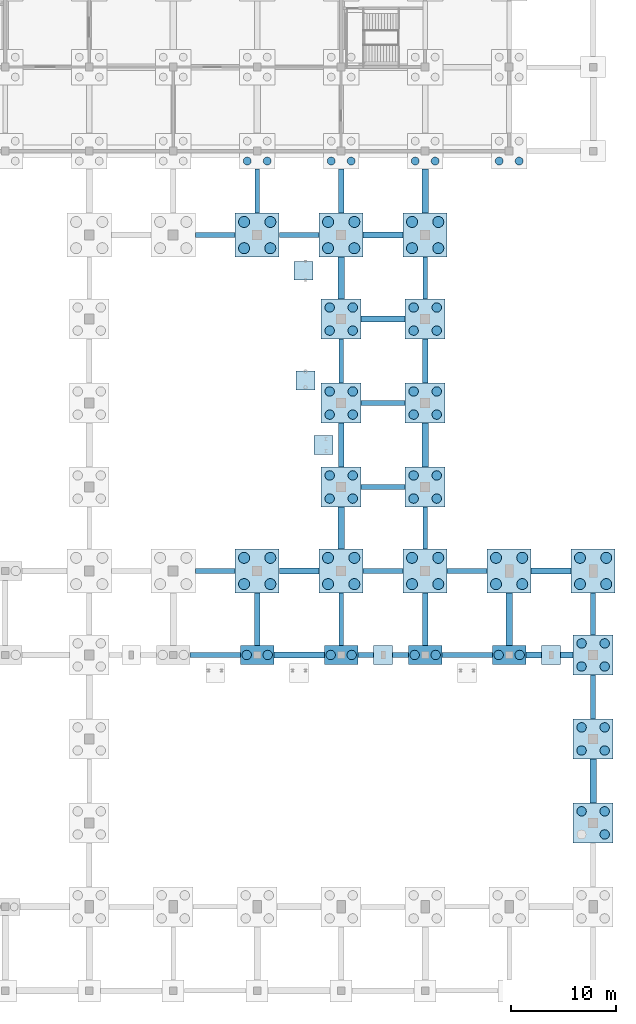
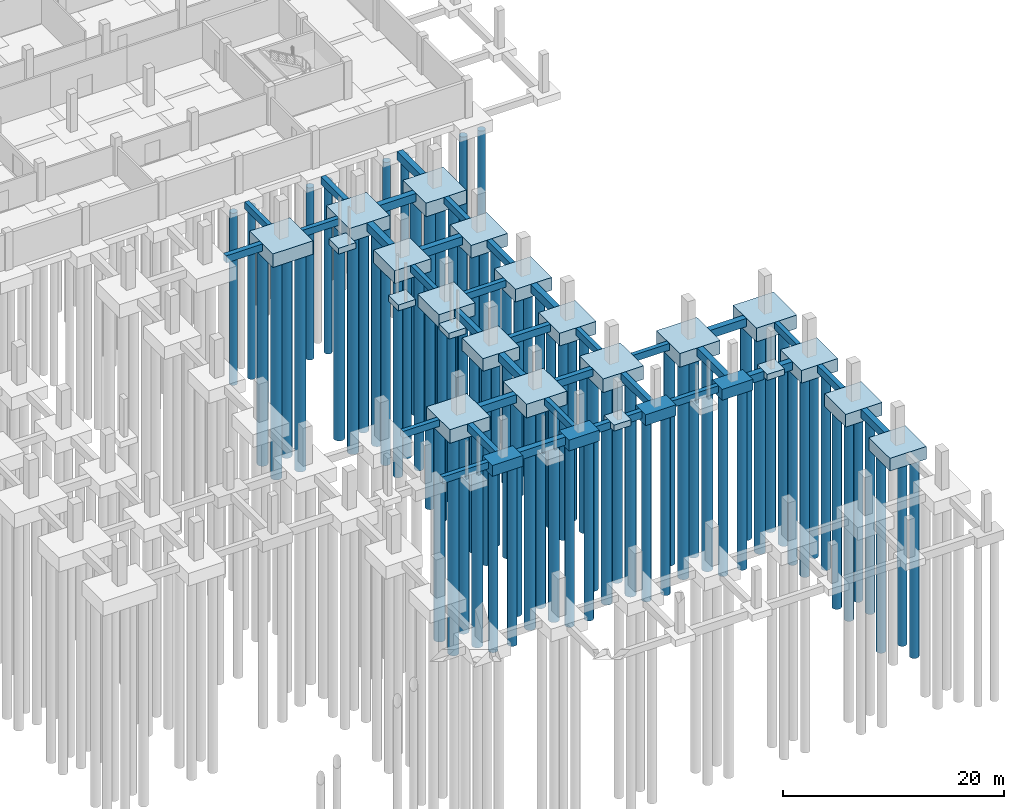
# One storey, part 9 of 32: 83 piles, 62 footings.
"""IFC4 building model written with IfcOpenShell, lengths in metres."""

import ifcopenshell
import ifcopenshell.guid

model = None  # the IFC model being written
_history = None  # IfcOwnerHistory: only IFC2X3 demands one
_inside = {}  # id of a spatial element -> (the spatial element, [elements in it])
_under = {}  # id of a project, library or spatial element -> (it, [spatial elements below it])
_declared = {}  # id of a project -> (the project, [libraries it declares])
_typed = {}  # id of a type object -> (the type object, [elements of that type])
_made_of = {}  # id of a material, layer set ... -> (it, [elements and type objects made of it])


def new_model(schema):
    """Start an empty IFC model of exactly this schema.

    Asked for "IFC4X3", IfcOpenShell would pick the latest addendum, in which some entities
    have other attributes; the version numbers below select the first issue.
    IFC2X3 requires an IfcOwnerHistory on every rooted entity: one is made here for all.
    """
    global model, _history
    if schema == "IFC4X3":
        model = ifcopenshell.file(schema_version=(4, 3, 0, 0))
    else:
        model = ifcopenshell.file(schema=schema)
    _inside.clear()
    _under.clear()
    _declared.clear()
    _typed.clear()
    _made_of.clear()
    _history = None
    if model.schema == "IFC2X3":
        org = make("IfcOrganization", Name="unknown")
        user = make(
            "IfcPersonAndOrganization",
            ThePerson=make("IfcPerson", FamilyName="unknown"),
            TheOrganization=org,
        )
        app = make(
            "IfcApplication",
            ApplicationDeveloper=org,
            Version="unknown",
            ApplicationFullName="unknown",
            ApplicationIdentifier="unknown",
        )
        _history = make(
            "IfcOwnerHistory",
            OwningUser=user,
            OwningApplication=app,
            ChangeAction="ADDED",
            CreationDate=0,
        )
    return model


def make(cls, **values):
    """One entity of the class cls with the attributes given. An attribute that is None is left unset."""
    return model.create_entity(
        cls, **{name: value for name, value in values.items() if value is not None}
    )


def rooted(cls, **values):
    """An entity with a GlobalId (a new one), such as an element, a storey or a relation."""
    return make(cls, GlobalId=ifcopenshell.guid.new(), OwnerHistory=_history, **values)


def si_unit(unit_type, name, prefix=None):
    """IfcSIUnit, for example si_unit("LENGTHUNIT", "METRE", prefix="MILLI")."""
    return make("IfcSIUnit", UnitType=unit_type, Prefix=prefix, Name=name)


def assignment(units):
    """IfcUnitAssignment: the units of a project."""
    return None if units is None else make("IfcUnitAssignment", Units=units)


def point(xyz):
    """IfcCartesianPoint."""
    return None if xyz is None else make("IfcCartesianPoint", Coordinates=xyz)


def direction(xyz):
    """IfcDirection."""
    return None if xyz is None else make("IfcDirection", DirectionRatios=xyz)


def frame(location, z_axis=None, x_axis=None):
    """IfcAxis2Placement3D, a coordinate frame: its origin and axes. An axis left out is left unset."""
    return make(
        "IfcAxis2Placement3D",
        Location=point(location),
        Axis=direction(z_axis),
        RefDirection=direction(x_axis),
    )


def frame_2d(location, x_axis=None):
    """IfcAxis2Placement2D, a coordinate frame in the plane: its origin and x axis."""
    return make(
        "IfcAxis2Placement2D", Location=point(location), RefDirection=direction(x_axis)
    )


def origin():
    """The frame at (0, 0, 0) with its axes left unset."""
    return frame((0.0, 0.0, 0.0))


def origin_2d():
    """The frame at (0, 0) in the plane with its x axis left unset."""
    return frame_2d((0.0, 0.0))


def place(relative_to, where):
    """IfcLocalPlacement: puts the frame where relative to a parent placement (None: the world)."""
    return make(
        "IfcLocalPlacement", PlacementRelTo=relative_to, RelativePlacement=where
    )


def context(
    kind, dimensions, precision=None, world=None, true_north=None, identifier=None
):
    """IfcGeometricRepresentationContext, for example the 3D "Model" context."""
    return make(
        "IfcGeometricRepresentationContext",
        ContextIdentifier=identifier,
        ContextType=kind,
        CoordinateSpaceDimension=dimensions,
        Precision=precision,
        WorldCoordinateSystem=world,
        TrueNorth=true_north,
    )


def subcontext(parent, identifier, kind, view, scale=None):
    """IfcGeometricRepresentationSubContext, for example "Body" below "Model"."""
    return make(
        "IfcGeometricRepresentationSubContext",
        ContextIdentifier=identifier,
        ContextType=kind,
        ParentContext=parent,
        TargetScale=scale,
        TargetView=view,
    )


def project(units=None, contexts=None):
    """IfcProject with its units and contexts."""
    return rooted(
        "IfcProject",
        Name="project",
        RepresentationContexts=contexts,
        UnitsInContext=assignment(units),
    )


def spatial(cls, under=None, at=None, **own):
    """A site, building, storey or space (cls), placed at a placement, below another one or the project."""
    s = rooted(cls, ObjectPlacement=at, **own)
    if under is not None:
        _under.setdefault(under.id(), (under, []))[1].append(s)
    return s


def profile(cls, at=None, kind="AREA", **sizes):
    """A parametric profile (cls). Its sizes go by their IFC names, for example OverallWidth=200.0."""
    return make(cls, ProfileType=kind, Position=at, **sizes)


def rectangle(**sizes):
    """IfcRectangleProfileDef."""
    return profile("IfcRectangleProfileDef", **sizes)


def circle(**sizes):
    """IfcCircleProfileDef."""
    return profile("IfcCircleProfileDef", **sizes)


def extrude(swept, where, along, depth):
    """IfcExtrudedAreaSolid: the profile swept, set in the frame where, extruded along a direction by depth."""
    return make(
        "IfcExtrudedAreaSolid",
        SweptArea=swept,
        Position=where,
        ExtrudedDirection=direction(along),
        Depth=depth,
    )


def shape(context_of_items, identifier, shape_type, items):
    """IfcShapeRepresentation: the items that make up one representation, for example the "Body"."""
    return make(
        "IfcShapeRepresentation",
        ContextOfItems=context_of_items,
        RepresentationIdentifier=identifier,
        RepresentationType=shape_type,
        Items=items,
    )


def material(Name=None, Category=None):
    """IfcMaterial."""
    return make("IfcMaterial", Name=Name, Category=Category)


def material_profile(
    of_material, cross_section, Name=None, Category=None, Priority=None
):
    """IfcMaterialProfile: a cross section and its material."""
    return make(
        "IfcMaterialProfile",
        Name=Name,
        Material=of_material,
        Profile=cross_section,
        Priority=Priority,
        Category=Category,
    )


def profile_set(profiles, Name=None, composite=None):
    """IfcMaterialProfileSet."""
    return make(
        "IfcMaterialProfileSet",
        Name=Name,
        MaterialProfiles=profiles,
        CompositeProfile=composite,
    )


def made_of(thing, what):
    """Note that an element or type object is made of a material, layer set ...; save() writes the relation."""
    if what is not None:
        _made_of.setdefault(what.id(), (what, []))[1].append(thing)
    return thing


def type_object(cls, material=None, **own):
    """A type object (cls), such as IfcWallType, which elements share."""
    return made_of(rooted(cls, **own), material)


def element(
    cls,
    number,
    at=None,
    inside=None,
    cuts=None,
    type_object=None,
    material=None,
    context=None,
    identifier="Body",
    shape_type=None,
    held_by="IfcProductDefinitionShape",
    body=None,
    shapes=None,
    **own,
):
    """One element of the class cls, such as IfcWall. Its Tag is "e" and its number.

    at: its placement. inside: the storey or other place that contains it. cuts: it is an
    opening in that element (IfcRelVoidsElement). A single representation is given by context,
    identifier, shape_type and body (its items); several are given by shapes. held_by: the class
    of the entity that holds the representations. save() writes the other relations.
    """
    e = rooted(cls, Tag="e%d" % number, ObjectPlacement=at, **own)
    if body is not None:
        shapes = [shape(context, identifier, shape_type, body)]
    if shapes is not None:
        e.Representation = make(held_by, Representations=shapes)
    if inside is not None:
        _inside.setdefault(inside.id(), (inside, []))[1].append(e)
    if cuts is not None:
        rooted(
            "IfcRelVoidsElement", RelatingBuildingElement=cuts, RelatedOpeningElement=e
        )
    if type_object is not None:
        _typed.setdefault(type_object.id(), (type_object, []))[1].append(e)
    return made_of(e, material)


def aggregate(whole, parts):
    """IfcRelAggregates: a whole, such as a stair, and the parts it consists of."""
    return rooted("IfcRelAggregates", RelatingObject=whole, RelatedObjects=parts)


def save(model, path):
    """Write the relations noted so far, then the file.

    IfcRelAggregates (storeys below a building ...), IfcRelContainedInSpatialStructure (elements
    in a storey), IfcRelDefinesByType, IfcRelAssociatesMaterial and IfcRelDeclares: one each for
    every whole, place, type object, material and project.
    """
    for whole, parts in _under.values():
        aggregate(whole, parts)
    for where, things in _inside.values():
        rooted(
            "IfcRelContainedInSpatialStructure",
            RelatedElements=things,
            RelatingStructure=where,
        )
    for kind, things in _typed.values():
        rooted("IfcRelDefinesByType", RelatedObjects=things, RelatingType=kind)
    for what, things in _made_of.values():
        rooted("IfcRelAssociatesMaterial", RelatedObjects=things, RelatingMaterial=what)
    for by, libraries in _declared.values():
        rooted("IfcRelDeclares", RelatingContext=by, RelatedDefinitions=libraries)
    model.write(path)


model = new_model("IFC4")

# Units and contexts
model_context = context("Model", 3, precision=1e-05, world=origin(), true_north=direction((0.0, 1.0)))
body_context = subcontext(model_context, "Body", "Model", "MODEL_VIEW")
ifc_project = project(units=[si_unit("LENGTHUNIT", "METRE"), si_unit("AREAUNIT", "SQUARE_METRE"), si_unit("VOLUMEUNIT", "CUBIC_METRE"), si_unit("PLANEANGLEUNIT", "RADIAN"), si_unit("MASSUNIT", "GRAM", prefix="KILO")], contexts=[model_context])

# Site, building, storey
site_placement = place(None, origin())
site = spatial("IfcSite", under=ifc_project, at=site_placement, CompositionType="ELEMENT")
building_placement = place(site_placement, origin())
building = spatial("IfcBuilding", under=site, at=building_placement, Name="Tenunan Teduh Sports Hall", CompositionType="ELEMENT")
storey_placement = place(building_placement, frame((0.0, 0.0, -4.199951171875)))
storey = spatial("IfcBuildingStorey", under=building, at=storey_placement, Name="B1", CompositionType="ELEMENT", Elevation=-4.199951171875)

# Footings
ifc_material_1 = material(Name="Concrete C40/50", Category="concrete")
ifc_material_profile_1 = material_profile(ifc_material_1, rectangle(XDim=0.449951171875, YDim=0.75, at=origin_2d()), Name="RCB 450x750")
ifc_profile_set_1 = profile_set([ifc_material_profile_1], Name="Concrete C40/50")
footing_type_1 = type_object("IfcFootingType", Name="GB-450x750", PredefinedType="FOOTING_BEAM", material=ifc_profile_set_1)
for number, where, z_axis, x_axis, name in (
    (1, (131.60205078125, 38.0, -0.375), (1.0, 0.0, 0.0), (0.0, 1.0, 0.0), "FTG-GBX-054"),
    (2, (155.60205078125, 38.0, -0.375), (1.0, 0.0, 0.0), (0.0, 1.0, 0.0), "FTG-GBX-058"),
):
    element("IfcFooting", number, at=place(storey_placement, frame(where, z_axis=z_axis, x_axis=x_axis)), inside=storey, type_object=footing_type_1, Name=name, PredefinedType="FOOTING_BEAM", context=body_context, shape_type="SweptSolid", body=[
        extrude(rectangle(XDim=0.449951171875, YDim=0.75, at=origin_2d()), origin(), (0.0, 0.0, 1.0), 4.7958984375),
    ])
for number, where, z_axis, x_axis, name in (
    (3, (132.10205078125, 46.0, -0.375), (1.0, 0.0, 0.0), (0.0, 1.0, 0.0), "FTG-GBX-074"),
    (4, (156.10205078125, 46.0, -0.375), (1.0, 0.0, 0.0), (0.0, 1.0, 0.0), "FTG-GBX-077"),
):
    element("IfcFooting", number, at=place(storey_placement, frame(where, z_axis=z_axis, x_axis=x_axis)), inside=storey, type_object=footing_type_1, Name=name, PredefinedType="FOOTING_BEAM", context=body_context, shape_type="SweptSolid", body=[
        extrude(rectangle(XDim=0.449951171875, YDim=0.75, at=origin_2d()), origin(), (0.0, 0.0, 1.0), 3.7958984375),
    ])
footing_1_placement = place(storey_placement, frame((147.902099609375, 62.0, -0.375), z_axis=(1.0, 0.0, 0.0), x_axis=(0.0, 1.0, 0.0)))
element("IfcFooting", 5, at=footing_1_placement, inside=storey, type_object=footing_type_1, Name="FTG-GBX-089", PredefinedType="FOOTING_BEAM", context=body_context, shape_type="SweptSolid", body=[
    extrude(rectangle(XDim=0.449951171875, YDim=0.75, at=origin_2d()), origin(), (0.0, 0.0, 1.0), 4.19580078125),
])
footing_2_placement = place(storey_placement, frame((140.10205078125, 78.0, -0.375), z_axis=(1.0, 0.0, 0.0), x_axis=(0.0, 1.0, 0.0)))
element("IfcFooting", 6, at=footing_2_placement, inside=storey, type_object=footing_type_1, Name="FTG-GBX-099", PredefinedType="FOOTING_BEAM", context=body_context, shape_type="SweptSolid", body=[
    extrude(rectangle(XDim=0.449951171875, YDim=0.75, at=origin_2d()), origin(), (0.0, 0.0, 1.0), 3.7958984375),
])
footing_3_placement = place(storey_placement, frame((138.0, 80.10205078125, -0.375), z_axis=(0.0, 1.0, 0.0), x_axis=(-1.0, 0.0, 0.0)))
element("IfcFooting", 7, at=footing_3_placement, inside=storey, type_object=footing_type_1, Name="FTG-GBY-301", PredefinedType="FOOTING_BEAM", context=body_context, shape_type="SweptSolid", body=[
    extrude(rectangle(XDim=0.449951171875, YDim=0.75, at=origin_2d()), origin(), (0.0, 0.0, 1.0), 4.196044921875),
])
footing_4_placement = place(storey_placement, frame((146.0, 38.902099609375, -0.375), z_axis=(0.0, 1.0, 0.0), x_axis=(-1.0, 0.0, 0.0)))
element("IfcFooting", 8, at=footing_4_placement, inside=storey, type_object=footing_type_1, Name="FTG-GBY-307", PredefinedType="FOOTING_BEAM", context=body_context, shape_type="SweptSolid", body=[
    extrude(rectangle(XDim=0.449951171875, YDim=0.75, at=origin_2d()), origin(), (0.0, 0.0, 1.0), 4.995849609375),
])
footing_5_placement = place(storey_placement, frame((146.0, 63.902099609375, -0.375), z_axis=(0.0, 1.0, 0.0), x_axis=(-1.0, 0.0, 0.0)))
element("IfcFooting", 9, at=footing_5_placement, inside=storey, type_object=footing_type_1, Name="FTG-GBY-310", PredefinedType="FOOTING_BEAM", context=body_context, shape_type="SweptSolid", body=[
    extrude(rectangle(XDim=0.449951171875, YDim=0.75, at=origin_2d()), origin(), (0.0, 0.0, 1.0), 4.19580078125),
])
for number, where, z_axis, x_axis, name in (
    (10, (154.0, 48.10205078125, -0.375), (0.0, 1.0, 0.0), (-1.0, 0.0, 0.0), "FTG-GBY-319"),
    (11, (154.0, 71.902099609375, -0.375), (0.0, 1.0, 0.0), (-1.0, 0.0, 0.0), "FTG-GBY-322"),
    (12, (170.0, 39.902099609375, -0.375), (0.0, 1.0, 0.0), (-1.0, 0.0, 0.0), "FTG-GBY-337"),
):
    element("IfcFooting", number, at=place(storey_placement, frame(where, z_axis=z_axis, x_axis=x_axis)), inside=storey, type_object=footing_type_1, Name=name, PredefinedType="FOOTING_BEAM", context=body_context, shape_type="SweptSolid", body=[
        extrude(rectangle(XDim=0.449951171875, YDim=0.75, at=origin_2d()), origin(), (0.0, 0.0, 1.0), 3.995849609375),
    ])
ifc_material_2 = material(Name="Concrete C40/50", Category="concrete")
ifc_material_profile_2 = material_profile(ifc_material_2, rectangle(XDim=0.5, YDim=0.800048828125, at=origin_2d()), Name="RCB 500x800")
ifc_profile_set_2 = profile_set([ifc_material_profile_2], Name="Concrete C40/50")
footing_type_2 = type_object("IfcFootingType", Name="GB-500x800", PredefinedType="FOOTING_BEAM", material=ifc_profile_set_2)
for number, where, z_axis, x_axis, name in (
    (13, (147.60205078125, 38.0, -0.400146484375), (1.0, 0.0, 0.0), (0.0, 1.0, 0.0), "FTG-GBX-056"),
    (14, (150.902099609375, 38.0, -0.400146484375), (1.0, 0.0, 0.0), (0.0, 1.0, 0.0), "FTG-GBX-057"),
):
    element("IfcFooting", number, at=place(storey_placement, frame(where, z_axis=z_axis, x_axis=x_axis)), inside=storey, type_object=footing_type_2, Name=name, PredefinedType="FOOTING_BEAM", context=body_context, shape_type="SweptSolid", body=[
        extrude(rectangle(XDim=0.5, YDim=0.800048828125, at=origin_2d()), origin(), (0.0, 0.0, 1.0), 1.495849609375),
    ])
footing_6_placement = place(storey_placement, frame((148.10205078125, 46.0, -0.400146484375), z_axis=(1.0, 0.0, 0.0), x_axis=(0.0, 1.0, 0.0)))
element("IfcFooting", 15, at=footing_6_placement, inside=storey, type_object=footing_type_2, Name="FTG-GBX-076", PredefinedType="FOOTING_BEAM", context=body_context, shape_type="SweptSolid", body=[
    extrude(rectangle(XDim=0.5, YDim=0.800048828125, at=origin_2d()), origin(), (0.0, 0.0, 1.0), 3.7958984375),
])
footing_7_placement = place(storey_placement, frame((147.902099609375, 54.0, -0.400146484375), z_axis=(1.0, 0.0, 0.0), x_axis=(0.0, 1.0, 0.0)))
element("IfcFooting", 16, at=footing_7_placement, inside=storey, type_object=footing_type_2, Name="FTG-GBX-082", PredefinedType="FOOTING_BEAM", context=body_context, shape_type="SweptSolid", body=[
    extrude(rectangle(XDim=0.5, YDim=0.800048828125, at=origin_2d()), origin(), (0.0, 0.0, 1.0), 4.19580078125),
])
footing_8_placement = place(storey_placement, frame((132.10205078125, 78.0, -0.400146484375), z_axis=(1.0, 0.0, 0.0), x_axis=(0.0, 1.0, 0.0)))
element("IfcFooting", 17, at=footing_8_placement, inside=storey, type_object=footing_type_2, Name="FTG-GBX-098", PredefinedType="FOOTING_BEAM", context=body_context, shape_type="SweptSolid", body=[
    extrude(rectangle(XDim=0.5, YDim=0.800048828125, at=origin_2d()), origin(), (0.0, 0.0, 1.0), 3.7958984375),
])
footing_9_placement = place(storey_placement, frame((138.0, 38.902099609375, -0.400146484375), z_axis=(0.0, 1.0, 0.0), x_axis=(-1.0, 0.0, 0.0)))
element("IfcFooting", 18, at=footing_9_placement, inside=storey, type_object=footing_type_2, Name="FTG-GBY-300", PredefinedType="FOOTING_BEAM", context=body_context, shape_type="SweptSolid", body=[
    extrude(rectangle(XDim=0.5, YDim=0.800048828125, at=origin_2d()), origin(), (0.0, 0.0, 1.0), 4.995849609375),
])
footing_10_placement = place(storey_placement, frame((146.0, 55.902099609375, -0.400146484375), z_axis=(0.0, 1.0, 0.0), x_axis=(-1.0, 0.0, 0.0)))
element("IfcFooting", 19, at=footing_10_placement, inside=storey, type_object=footing_type_2, Name="FTG-GBY-309", PredefinedType="FOOTING_BEAM", context=body_context, shape_type="SweptSolid", body=[
    extrude(rectangle(XDim=0.5, YDim=0.800048828125, at=origin_2d()), origin(), (0.0, 0.0, 1.0), 4.19580078125),
])
footing_11_placement = place(storey_placement, frame((146.0, 80.10205078125, -0.400146484375), z_axis=(0.0, 1.0, 0.0), x_axis=(-1.0, 0.0, 0.0)))
element("IfcFooting", 20, at=footing_11_placement, inside=storey, type_object=footing_type_2, Name="FTG-GBY-312", PredefinedType="FOOTING_BEAM", context=body_context, shape_type="SweptSolid", body=[
    extrude(rectangle(XDim=0.5, YDim=0.800048828125, at=origin_2d()), origin(), (0.0, 0.0, 1.0), 4.196044921875),
])
footing_12_placement = place(storey_placement, frame((154.0, 38.902099609375, -0.400146484375), z_axis=(0.0, 1.0, 0.0), x_axis=(-1.0, 0.0, 0.0)))
element("IfcFooting", 21, at=footing_12_placement, inside=storey, type_object=footing_type_2, Name="FTG-GBY-318", PredefinedType="FOOTING_BEAM", context=body_context, shape_type="SweptSolid", body=[
    extrude(rectangle(XDim=0.5, YDim=0.800048828125, at=origin_2d()), origin(), (0.0, 0.0, 1.0), 4.995849609375),
])
for number, where, z_axis, x_axis, name in (
    (22, (154.0, 63.902099609375, -0.400146484375), (0.0, 1.0, 0.0), (-1.0, 0.0, 0.0), "FTG-GBY-321"),
    (23, (170.0, 31.902099609375, -0.400146484375), (0.0, 1.0, 0.0), (-1.0, 0.0, 0.0), "FTG-GBY-336"),
):
    element("IfcFooting", number, at=place(storey_placement, frame(where, z_axis=z_axis, x_axis=x_axis)), inside=storey, type_object=footing_type_2, Name=name, PredefinedType="FOOTING_BEAM", context=body_context, shape_type="SweptSolid", body=[
        extrude(rectangle(XDim=0.5, YDim=0.800048828125, at=origin_2d()), origin(), (0.0, 0.0, 1.0), 4.19580078125),
    ])
ifc_material_3 = material(Name="Concrete C40/50", Category="concrete")
ifc_material_profile_3 = material_profile(ifc_material_3, rectangle(XDim=0.60009765625, YDim=0.89990234375, at=origin_2d()), Name="RCB 600x900")
ifc_profile_set_3 = profile_set([ifc_material_profile_3], Name="Concrete C40/50")
footing_type_3 = type_object("IfcFootingType", Name="GB-600x900", PredefinedType="FOOTING_BEAM", material=ifc_profile_set_3)
footing_13_placement = place(storey_placement, frame((139.60205078125, 38.0, -0.449951171875), z_axis=(1.0, 0.0, 0.0), x_axis=(0.0, 1.0, 0.0)))
element("IfcFooting", 24, at=footing_13_placement, inside=storey, type_object=footing_type_3, Name="FTG-GBX-055", PredefinedType="FOOTING_BEAM", context=body_context, shape_type="SweptSolid", body=[
    extrude(rectangle(XDim=0.60009765625, YDim=0.89990234375, at=origin_2d()), origin(), (0.0, 0.0, 1.0), 4.7958984375),
])
footing_14_placement = place(storey_placement, frame((163.60205078125, 38.0, -0.449951171875), z_axis=(1.0, 0.0, 0.0), x_axis=(0.0, 1.0, 0.0)))
element("IfcFooting", 25, at=footing_14_placement, inside=storey, type_object=footing_type_3, Name="FTG-GBX-059", PredefinedType="FOOTING_BEAM", context=body_context, shape_type="SweptSolid", body=[
    extrude(rectangle(XDim=0.60009765625, YDim=0.89990234375, at=origin_2d()), origin(), (0.0, 0.0, 1.0), 1.495849609375),
])
footing_15_placement = place(storey_placement, frame((166.902099609375, 38.0, -0.449951171875), z_axis=(1.0, 0.0, 0.0), x_axis=(0.0, 1.0, 0.0)))
element("IfcFooting", 26, at=footing_15_placement, inside=storey, type_object=footing_type_3, Name="FTG-GBX-060", PredefinedType="FOOTING_BEAM", context=body_context, shape_type="SweptSolid", body=[
    extrude(rectangle(XDim=0.60009765625, YDim=0.89990234375, at=origin_2d()), origin(), (0.0, 0.0, 1.0), 1.19580078125),
])
for number, where, z_axis, x_axis, name in (
    (27, (140.10205078125, 46.0, -0.449951171875), (1.0, 0.0, 0.0), (0.0, 1.0, 0.0), "FTG-GBX-075"),
    (28, (164.10205078125, 46.0, -0.449951171875), (1.0, 0.0, 0.0), (0.0, 1.0, 0.0), "FTG-GBX-078"),
):
    element("IfcFooting", number, at=place(storey_placement, frame(where, z_axis=z_axis, x_axis=x_axis)), inside=storey, type_object=footing_type_3, Name=name, PredefinedType="FOOTING_BEAM", context=body_context, shape_type="SweptSolid", body=[
        extrude(rectangle(XDim=0.60009765625, YDim=0.89990234375, at=origin_2d()), origin(), (0.0, 0.0, 1.0), 3.7958984375),
    ])
footing_16_placement = place(storey_placement, frame((147.902099609375, 70.0, -0.449951171875), z_axis=(1.0, 0.0, 0.0), x_axis=(0.0, 1.0, 0.0)))
element("IfcFooting", 29, at=footing_16_placement, inside=storey, type_object=footing_type_3, Name="FTG-GBX-096", PredefinedType="FOOTING_BEAM", context=body_context, shape_type="SweptSolid", body=[
    extrude(rectangle(XDim=0.60009765625, YDim=0.89990234375, at=origin_2d()), origin(), (0.0, 0.0, 1.0), 4.19580078125),
])
footing_17_placement = place(storey_placement, frame((148.10205078125, 78.0, -0.449951171875), z_axis=(1.0, 0.0, 0.0), x_axis=(0.0, 1.0, 0.0)))
element("IfcFooting", 30, at=footing_17_placement, inside=storey, type_object=footing_type_3, Name="FTG-GBX-100", PredefinedType="FOOTING_BEAM", context=body_context, shape_type="SweptSolid", body=[
    extrude(rectangle(XDim=0.60009765625, YDim=0.89990234375, at=origin_2d()), origin(), (0.0, 0.0, 1.0), 3.7958984375),
])
for number, where, z_axis, x_axis, name in (
    (31, (146.0, 48.10205078125, -0.449951171875), (0.0, 1.0, 0.0), (-1.0, 0.0, 0.0), "FTG-GBY-308"),
    (32, (146.0, 71.902099609375, -0.449951171875), (0.0, 1.0, 0.0), (-1.0, 0.0, 0.0), "FTG-GBY-311"),
):
    element("IfcFooting", number, at=place(storey_placement, frame(where, z_axis=z_axis, x_axis=x_axis)), inside=storey, type_object=footing_type_3, Name=name, PredefinedType="FOOTING_BEAM", context=body_context, shape_type="SweptSolid", body=[
        extrude(rectangle(XDim=0.60009765625, YDim=0.89990234375, at=origin_2d()), origin(), (0.0, 0.0, 1.0), 3.995849609375),
    ])
footing_18_placement = place(storey_placement, frame((154.0, 55.902099609375, -0.449951171875), z_axis=(0.0, 1.0, 0.0), x_axis=(-1.0, 0.0, 0.0)))
element("IfcFooting", 33, at=footing_18_placement, inside=storey, type_object=footing_type_3, Name="FTG-GBY-320", PredefinedType="FOOTING_BEAM", context=body_context, shape_type="SweptSolid", body=[
    extrude(rectangle(XDim=0.60009765625, YDim=0.89990234375, at=origin_2d()), origin(), (0.0, 0.0, 1.0), 4.19580078125),
])
footing_19_placement = place(storey_placement, frame((154.0, 80.10205078125, -0.449951171875), z_axis=(0.0, 1.0, 0.0), x_axis=(-1.0, 0.0, 0.0)))
element("IfcFooting", 34, at=footing_19_placement, inside=storey, type_object=footing_type_3, Name="FTG-GBY-323", PredefinedType="FOOTING_BEAM", context=body_context, shape_type="SweptSolid", body=[
    extrude(rectangle(XDim=0.60009765625, YDim=0.89990234375, at=origin_2d()), origin(), (0.0, 0.0, 1.0), 4.196044921875),
])
footing_20_placement = place(storey_placement, frame((162.0, 38.902099609375, -0.449951171875), z_axis=(0.0, 1.0, 0.0), x_axis=(-1.0, 0.0, 0.0)))
element("IfcFooting", 35, at=footing_20_placement, inside=storey, type_object=footing_type_3, Name="FTG-GBY-329", PredefinedType="FOOTING_BEAM", context=body_context, shape_type="SweptSolid", body=[
    extrude(rectangle(XDim=0.60009765625, YDim=0.89990234375, at=origin_2d()), origin(), (0.0, 0.0, 1.0), 4.995849609375),
])
footing_21_placement = place(storey_placement, frame((170.0, 23.902099609375, -0.449951171875), z_axis=(0.0, 1.0, 0.0), x_axis=(-1.0, 0.0, 0.0)))
element("IfcFooting", 36, at=footing_21_placement, inside=storey, type_object=footing_type_3, Name="FTG-GBY-335", PredefinedType="FOOTING_BEAM", context=body_context, shape_type="SweptSolid", body=[
    extrude(rectangle(XDim=0.60009765625, YDim=0.89990234375, at=origin_2d()), origin(), (0.0, 0.0, 1.0), 4.19580078125),
])
ifc_material_4 = material(Name="Concrete C40/50", Category="concrete")
footing_type_4 = type_object("IfcFootingType", Name="PC-2B", PredefinedType="PILE_CAP", material=ifc_material_4)
for number, where, z_axis, x_axis, name in (
    (37, (138.0, 38.0, -1.2001953125), (0.0, 0.0, 1.0), (1.0, 0.0, 0.0), "FTG-PC-178"),
    (38, (146.0, 38.0, -1.2001953125), (0.0, 0.0, 1.0), (1.0, 0.0, 0.0), "FTG-PC-188"),
    (39, (154.0, 38.0, -1.2001953125), (0.0, 0.0, 1.0), (1.0, 0.0, 0.0), "FTG-PC-201"),
    (40, (162.0, 38.0, -1.2001953125), (0.0, 0.0, 1.0), (1.0, 0.0, 0.0), "FTG-PC-214"),
):
    element("IfcFooting", number, at=place(storey_placement, frame(where, z_axis=z_axis, x_axis=x_axis)), inside=storey, type_object=footing_type_4, Name=name, PredefinedType="PILE_CAP", context=body_context, shape_type="SweptSolid", body=[
        extrude(rectangle(XDim=3.199951171875, YDim=1.800048828125, at=origin_2d()), origin(), (0.0, 0.0, 1.0), 1.199951171875),
    ])
ifc_material_5 = material(Name="Concrete C40/50", Category="concrete")
footing_type_5 = type_object("IfcFootingType", Name="PC-4B", PredefinedType="PILE_CAP", material=ifc_material_5)
for number, where, z_axis, x_axis, name in (
    (41, (146.0, 54.0, -1.39990234375), (0.0, 0.0, 1.0), (1.0, 0.0, 0.0), "FTG-PC-190"),
    (42, (146.0, 62.0, -1.39990234375), (0.0, 0.0, 1.0), (1.0, 0.0, 0.0), "FTG-PC-191"),
    (43, (146.0, 70.0, -1.39990234375), (0.0, 0.0, 1.0), (1.0, 0.0, 0.0), "FTG-PC-192"),
    (44, (154.0, 54.0, -1.39990234375), (0.0, 0.0, 1.0), (1.0, 0.0, 0.0), "FTG-PC-203"),
    (45, (154.0, 62.0, -1.39990234375), (0.0, 0.0, 1.0), (1.0, 0.0, 0.0), "FTG-PC-204"),
    (46, (154.0, 70.0, -1.39990234375), (0.0, 0.0, 1.0), (1.0, 0.0, 0.0), "FTG-PC-205"),
    (47, (170.0, 22.0, -1.39990234375), (0.0, 0.0, 1.0), (1.0, 0.0, 0.0), "FTG-PC-222"),
    (48, (170.0, 30.0, -1.39990234375), (0.0, 0.0, 1.0), (1.0, 0.0, 0.0), "FTG-PC-223"),
    (49, (170.0, 38.0, -1.39990234375), (0.0, 0.0, 1.0), (1.0, 0.0, 0.0), "FTG-PC-224"),
):
    element("IfcFooting", number, at=place(storey_placement, frame(where, z_axis=z_axis, x_axis=x_axis)), inside=storey, type_object=footing_type_5, Name=name, PredefinedType="PILE_CAP", context=body_context, shape_type="SweptSolid", body=[
        extrude(rectangle(XDim=3.800048828125, YDim=3.800048828125, at=origin_2d()), origin(), (0.0, 0.0, 1.0), 1.39990234375),
    ])
ifc_material_6 = material(Name="Concrete C40/50", Category="concrete")
footing_type_6 = type_object("IfcFootingType", Name="PC-4C", PredefinedType="PILE_CAP", material=ifc_material_6)
for number, where, z_axis, x_axis, name in (
    (50, (138.0, 46.0, -1.5), (0.0, 0.0, 1.0), (1.0, 0.0, 0.0), "FTG-PC-179"),
    (51, (138.0, 78.0, -1.5), (0.0, 0.0, 1.0), (1.0, 0.0, 0.0), "FTG-PC-180"),
    (52, (146.0, 46.0, -1.5), (0.0, 0.0, 1.0), (1.0, 0.0, 0.0), "FTG-PC-189"),
    (53, (146.0, 78.0, -1.5), (0.0, 0.0, 1.0), (1.0, 0.0, 0.0), "FTG-PC-193"),
    (54, (154.0, 46.0, -1.5), (0.0, 0.0, 1.0), (1.0, 0.0, 0.0), "FTG-PC-202"),
    (55, (154.0, 78.0, -1.5), (0.0, 0.0, 1.0), (1.0, 0.0, 0.0), "FTG-PC-206"),
    (56, (162.0, 46.0, -1.5), (0.0, 0.0, 1.0), (1.0, 0.0, 0.0), "FTG-PC-215"),
    (57, (170.0, 46.0, -1.5), (0.0, 0.0, 1.0), (1.0, 0.0, 0.0), "FTG-PC-225"),
):
    element("IfcFooting", number, at=place(storey_placement, frame(where, z_axis=z_axis, x_axis=x_axis)), inside=storey, type_object=footing_type_6, Name=name, PredefinedType="PILE_CAP", context=body_context, shape_type="SweptSolid", body=[
        extrude(rectangle(XDim=4.199951171875, YDim=4.199951171875, at=origin_2d()), origin(), (0.0, 0.0, 1.0), 1.5),
    ])
ifc_material_7 = material(Name="Concrete C40/50", Category="concrete")
footing_type_7 = type_object("IfcFootingType", Name="PF-1A", PredefinedType="PAD_FOOTING", material=ifc_material_7)
for number, where, z_axis, x_axis, name in (
    (58, (150.0, 38.0, -0.64990234375), (0.0, 0.0, 1.0), (1.0, 0.0, 0.0), "FTG-PIL-05"),
    (59, (166.0, 38.0, -0.64990234375), (0.0, 0.0, 1.0), (1.0, 0.0, 0.0), "FTG-PIL-06"),
    (60, (142.60009765625, 64.14990234375, -0.64990234375), (0.0, 0.0, 1.0), (1.0, 0.0, 0.0), "FTG-CL2-BOT"),
    (61, (144.320068359375, 58.0, -0.64990234375), (0.0, 0.0, 1.0), (1.0, 0.0, 0.0), "FTG-FST-7"),
    (62, (142.39990234375, 74.60009765625, -0.64990234375), (0.0, 0.0, 1.0), (1.0, 0.0, 0.0), "FTG-FST-8"),
):
    element("IfcFooting", number, at=place(storey_placement, frame(where, z_axis=z_axis, x_axis=x_axis)), inside=storey, type_object=footing_type_7, Name=name, PredefinedType="PAD_FOOTING", context=body_context, shape_type="SweptSolid", body=[
        extrude(rectangle(XDim=1.800048828125, YDim=1.800048828125, at=origin_2d()), origin(), (0.0, 0.0, 1.0), 0.64990234375),
    ])

# Piles
ifc_material_8 = material(Name="Concrete C40/50", Category="concrete")
ifc_material_profile_4 = material_profile(ifc_material_8, circle(Radius=0.52490234375, at=origin_2d()), Name="PILE D1050")
ifc_profile_set_4 = profile_set([ifc_material_profile_4], Name="Concrete C40/50")
pile_type_1 = type_object("IfcPileType", Name="PILE-D1050", PredefinedType="BORED", material=ifc_profile_set_4)
for number, where, z_axis, x_axis, name in (
    (63, (136.75, 44.75, -1.400146484375), (0.0, 0.0, -1.0), (1.0, 0.0, 0.0), "PILE-PL-3-179-1"),
    (64, (139.25, 44.75, -1.400146484375), (0.0, 0.0, -1.0), (1.0, 0.0, 0.0), "PILE-PL-3-179-2"),
    (65, (136.75, 47.25, -1.400146484375), (0.0, 0.0, -1.0), (1.0, 0.0, 0.0), "PILE-PL-3-179-3"),
    (66, (139.25, 47.25, -1.400146484375), (0.0, 0.0, -1.0), (1.0, 0.0, 0.0), "PILE-PL-3-179-4"),
    (67, (136.75, 76.75, -1.400146484375), (0.0, 0.0, -1.0), (1.0, 0.0, 0.0), "PILE-PL-3-180-1"),
    (68, (139.25, 76.75, -1.400146484375), (0.0, 0.0, -1.0), (1.0, 0.0, 0.0), "PILE-PL-3-180-2"),
    (69, (136.75, 79.25, -1.400146484375), (0.0, 0.0, -1.0), (1.0, 0.0, 0.0), "PILE-PL-3-180-3"),
    (70, (139.25, 79.25, -1.400146484375), (0.0, 0.0, -1.0), (1.0, 0.0, 0.0), "PILE-PL-3-180-4"),
    (71, (144.75, 44.75, -1.400146484375), (0.0, 0.0, -1.0), (1.0, 0.0, 0.0), "PILE-PL-3-189-1"),
    (72, (147.25, 44.75, -1.400146484375), (0.0, 0.0, -1.0), (1.0, 0.0, 0.0), "PILE-PL-3-189-2"),
    (73, (144.75, 47.25, -1.400146484375), (0.0, 0.0, -1.0), (1.0, 0.0, 0.0), "PILE-PL-3-189-3"),
    (74, (147.25, 47.25, -1.400146484375), (0.0, 0.0, -1.0), (1.0, 0.0, 0.0), "PILE-PL-3-189-4"),
    (75, (144.75, 76.75, -1.400146484375), (0.0, 0.0, -1.0), (1.0, 0.0, 0.0), "PILE-PL-3-193-1"),
    (76, (147.25, 76.75, -1.400146484375), (0.0, 0.0, -1.0), (1.0, 0.0, 0.0), "PILE-PL-3-193-2"),
    (77, (144.75, 79.25, -1.400146484375), (0.0, 0.0, -1.0), (1.0, 0.0, 0.0), "PILE-PL-3-193-3"),
    (78, (147.25, 79.25, -1.400146484375), (0.0, 0.0, -1.0), (1.0, 0.0, 0.0), "PILE-PL-3-193-4"),
    (79, (152.75, 44.75, -1.400146484375), (0.0, 0.0, -1.0), (1.0, 0.0, 0.0), "PILE-PL-3-202-1"),
    (80, (155.25, 44.75, -1.400146484375), (0.0, 0.0, -1.0), (1.0, 0.0, 0.0), "PILE-PL-3-202-2"),
    (81, (152.75, 47.25, -1.400146484375), (0.0, 0.0, -1.0), (1.0, 0.0, 0.0), "PILE-PL-3-202-3"),
    (82, (155.25, 47.25, -1.400146484375), (0.0, 0.0, -1.0), (1.0, 0.0, 0.0), "PILE-PL-3-202-4"),
    (83, (152.75, 76.75, -1.400146484375), (0.0, 0.0, -1.0), (1.0, 0.0, 0.0), "PILE-PL-3-206-1"),
    (84, (155.25, 76.75, -1.400146484375), (0.0, 0.0, -1.0), (1.0, 0.0, 0.0), "PILE-PL-3-206-2"),
    (85, (152.75, 79.25, -1.400146484375), (0.0, 0.0, -1.0), (1.0, 0.0, 0.0), "PILE-PL-3-206-3"),
    (86, (155.25, 79.25, -1.400146484375), (0.0, 0.0, -1.0), (1.0, 0.0, 0.0), "PILE-PL-3-206-4"),
    (87, (160.75, 44.75, -1.400146484375), (0.0, 0.0, -1.0), (1.0, 0.0, 0.0), "PILE-PL-3-215-1"),
    (88, (163.25, 44.75, -1.400146484375), (0.0, 0.0, -1.0), (1.0, 0.0, 0.0), "PILE-PL-3-215-2"),
    (89, (160.75, 47.25, -1.400146484375), (0.0, 0.0, -1.0), (1.0, 0.0, 0.0), "PILE-PL-3-215-3"),
    (90, (163.25, 47.25, -1.400146484375), (0.0, 0.0, -1.0), (1.0, 0.0, 0.0), "PILE-PL-3-215-4"),
    (91, (168.75, 44.75, -1.400146484375), (0.0, 0.0, -1.0), (1.0, 0.0, 0.0), "PILE-PL-3-225-1"),
    (92, (171.25, 44.75, -1.400146484375), (0.0, 0.0, -1.0), (1.0, 0.0, 0.0), "PILE-PL-3-225-2"),
    (93, (168.75, 47.25, -1.400146484375), (0.0, 0.0, -1.0), (1.0, 0.0, 0.0), "PILE-PL-3-225-3"),
    (94, (171.25, 47.25, -1.400146484375), (0.0, 0.0, -1.0), (1.0, 0.0, 0.0), "PILE-PL-3-225-4"),
):
    element("IfcPile", number, at=place(storey_placement, frame(where, z_axis=z_axis, x_axis=x_axis)), inside=storey, type_object=pile_type_1, Name=name, PredefinedType="BORED", context=body_context, shape_type="SweptSolid", body=[
        extrude(circle(Radius=0.52490234375, at=origin_2d()), origin(), (0.0, 0.0, 1.0), 24.0),
    ])
ifc_material_9 = material(Name="Concrete C40/50", Category="concrete")
ifc_material_profile_5 = material_profile(ifc_material_9, circle(Radius=0.375, at=origin_2d()), Name="PILE D750")
ifc_profile_set_5 = profile_set([ifc_material_profile_5], Name="Concrete C40/50")
pile_type_2 = type_object("IfcPileType", Name="PILE-D750", PredefinedType="BORED", material=ifc_profile_set_5)
for number, where, z_axis, x_axis, name in (
    (95, (137.050048828125, 85.050048828125, -1.199951171875), (0.0, 0.0, -1.0), (1.0, 0.0, 0.0), "PILE-PL-1-181-1"),
    (96, (138.949951171875, 85.050048828125, -1.199951171875), (0.0, 0.0, -1.0), (1.0, 0.0, 0.0), "PILE-PL-1-181-2"),
    (97, (145.050048828125, 85.050048828125, -1.199951171875), (0.0, 0.0, -1.0), (1.0, 0.0, 0.0), "PILE-PL-1-194-1"),
    (98, (146.949951171875, 85.050048828125, -1.199951171875), (0.0, 0.0, -1.0), (1.0, 0.0, 0.0), "PILE-PL-1-194-2"),
    (99, (153.050048828125, 85.050048828125, -1.199951171875), (0.0, 0.0, -1.0), (1.0, 0.0, 0.0), "PILE-PL-1-207-1"),
    (100, (154.949951171875, 85.050048828125, -1.199951171875), (0.0, 0.0, -1.0), (1.0, 0.0, 0.0), "PILE-PL-1-207-2"),
    (101, (161.050048828125, 85.050048828125, -1.199951171875), (0.0, 0.0, -1.0), (1.0, 0.0, 0.0), "PILE-PL-1-216-1"),
    (102, (162.949951171875, 85.050048828125, -1.199951171875), (0.0, 0.0, -1.0), (1.0, 0.0, 0.0), "PILE-PL-1-216-2"),
):
    element("IfcPile", number, at=place(storey_placement, frame(where, z_axis=z_axis, x_axis=x_axis)), inside=storey, type_object=pile_type_2, Name=name, PredefinedType="BORED", context=body_context, shape_type="SweptSolid", body=[
        extrude(circle(Radius=0.375, at=origin_2d()), origin(), (0.0, 0.0, 1.0), 19.0),
    ])
ifc_material_10 = material(Name="Concrete C40/50", Category="concrete")
ifc_material_profile_6 = material_profile(ifc_material_10, circle(Radius=0.449951171875, at=origin_2d()), Name="PILE D900")
ifc_profile_set_6 = profile_set([ifc_material_profile_6], Name="Concrete C40/50")
pile_type_3 = type_object("IfcPileType", Name="PILE-D900", PredefinedType="BORED", material=ifc_profile_set_6)
for number, where, z_axis, x_axis, name in (
    (103, (137.0, 38.0, -1.10009765625), (0.0, 0.0, -1.0), (1.0, 0.0, 0.0), "PILE-PL-2-178-1"),
    (104, (139.0, 38.0, -1.10009765625), (0.0, 0.0, -1.0), (1.0, 0.0, 0.0), "PILE-PL-2-178-2"),
    (105, (145.0, 38.0, -1.10009765625), (0.0, 0.0, -1.0), (1.0, 0.0, 0.0), "PILE-PL-2-188-1"),
    (106, (147.0, 38.0, -1.10009765625), (0.0, 0.0, -1.0), (1.0, 0.0, 0.0), "PILE-PL-2-188-2"),
):
    element("IfcPile", number, at=place(storey_placement, frame(where, z_axis=z_axis, x_axis=x_axis)), inside=storey, type_object=pile_type_3, Name=name, PredefinedType="BORED", context=body_context, shape_type="SweptSolid", body=[
        extrude(circle(Radius=0.449951171875, at=origin_2d()), origin(), (0.0, 0.0, 1.0), 20.0),
    ])
for number, where, z_axis, x_axis, name in (
    (107, (144.89990234375, 52.89990234375, -1.300048828125), (0.0, 0.0, -1.0), (1.0, 0.0, 0.0), "PILE-PL-2-190-1"),
    (108, (147.10009765625, 52.89990234375, -1.300048828125), (0.0, 0.0, -1.0), (1.0, 0.0, 0.0), "PILE-PL-2-190-2"),
    (109, (144.89990234375, 55.10009765625, -1.300048828125), (0.0, 0.0, -1.0), (1.0, 0.0, 0.0), "PILE-PL-2-190-3"),
    (110, (147.10009765625, 55.10009765625, -1.300048828125), (0.0, 0.0, -1.0), (1.0, 0.0, 0.0), "PILE-PL-2-190-4"),
    (111, (144.89990234375, 60.89990234375, -1.300048828125), (0.0, 0.0, -1.0), (1.0, 0.0, 0.0), "PILE-PL-2-191-1"),
    (112, (147.10009765625, 60.89990234375, -1.300048828125), (0.0, 0.0, -1.0), (1.0, 0.0, 0.0), "PILE-PL-2-191-2"),
    (113, (144.89990234375, 63.10009765625, -1.300048828125), (0.0, 0.0, -1.0), (1.0, 0.0, 0.0), "PILE-PL-2-191-3"),
    (114, (147.10009765625, 63.10009765625, -1.300048828125), (0.0, 0.0, -1.0), (1.0, 0.0, 0.0), "PILE-PL-2-191-4"),
    (115, (144.89990234375, 68.89990234375, -1.300048828125), (0.0, 0.0, -1.0), (1.0, 0.0, 0.0), "PILE-PL-2-192-1"),
    (116, (147.10009765625, 68.89990234375, -1.300048828125), (0.0, 0.0, -1.0), (1.0, 0.0, 0.0), "PILE-PL-2-192-2"),
    (117, (144.89990234375, 71.10009765625, -1.300048828125), (0.0, 0.0, -1.0), (1.0, 0.0, 0.0), "PILE-PL-2-192-3"),
    (118, (147.10009765625, 71.10009765625, -1.300048828125), (0.0, 0.0, -1.0), (1.0, 0.0, 0.0), "PILE-PL-2-192-4"),
):
    element("IfcPile", number, at=place(storey_placement, frame(where, z_axis=z_axis, x_axis=x_axis)), inside=storey, type_object=pile_type_3, Name=name, PredefinedType="BORED", context=body_context, shape_type="SweptSolid", body=[
        extrude(circle(Radius=0.449951171875, at=origin_2d()), origin(), (0.0, 0.0, 1.0), 22.0),
    ])
for number, where, z_axis, x_axis, name in (
    (119, (153.0, 38.0, -1.10009765625), (0.0, 0.0, -1.0), (1.0, 0.0, 0.0), "PILE-PL-2-201-1"),
    (120, (155.0, 38.0, -1.10009765625), (0.0, 0.0, -1.0), (1.0, 0.0, 0.0), "PILE-PL-2-201-2"),
):
    element("IfcPile", number, at=place(storey_placement, frame(where, z_axis=z_axis, x_axis=x_axis)), inside=storey, type_object=pile_type_3, Name=name, PredefinedType="BORED", context=body_context, shape_type="SweptSolid", body=[
        extrude(circle(Radius=0.449951171875, at=origin_2d()), origin(), (0.0, 0.0, 1.0), 20.0),
    ])
for number, where, z_axis, x_axis, name in (
    (121, (152.89990234375, 52.89990234375, -1.300048828125), (0.0, 0.0, -1.0), (1.0, 0.0, 0.0), "PILE-PL-2-203-1"),
    (122, (155.10009765625, 52.89990234375, -1.300048828125), (0.0, 0.0, -1.0), (1.0, 0.0, 0.0), "PILE-PL-2-203-2"),
    (123, (152.89990234375, 55.10009765625, -1.300048828125), (0.0, 0.0, -1.0), (1.0, 0.0, 0.0), "PILE-PL-2-203-3"),
    (124, (155.10009765625, 55.10009765625, -1.300048828125), (0.0, 0.0, -1.0), (1.0, 0.0, 0.0), "PILE-PL-2-203-4"),
    (125, (152.89990234375, 60.89990234375, -1.300048828125), (0.0, 0.0, -1.0), (1.0, 0.0, 0.0), "PILE-PL-2-204-1"),
    (126, (155.10009765625, 60.89990234375, -1.300048828125), (0.0, 0.0, -1.0), (1.0, 0.0, 0.0), "PILE-PL-2-204-2"),
    (127, (152.89990234375, 63.10009765625, -1.300048828125), (0.0, 0.0, -1.0), (1.0, 0.0, 0.0), "PILE-PL-2-204-3"),
    (128, (155.10009765625, 63.10009765625, -1.300048828125), (0.0, 0.0, -1.0), (1.0, 0.0, 0.0), "PILE-PL-2-204-4"),
    (129, (152.89990234375, 68.89990234375, -1.300048828125), (0.0, 0.0, -1.0), (1.0, 0.0, 0.0), "PILE-PL-2-205-1"),
    (130, (155.10009765625, 68.89990234375, -1.300048828125), (0.0, 0.0, -1.0), (1.0, 0.0, 0.0), "PILE-PL-2-205-2"),
    (131, (152.89990234375, 71.10009765625, -1.300048828125), (0.0, 0.0, -1.0), (1.0, 0.0, 0.0), "PILE-PL-2-205-3"),
    (132, (155.10009765625, 71.10009765625, -1.300048828125), (0.0, 0.0, -1.0), (1.0, 0.0, 0.0), "PILE-PL-2-205-4"),
):
    element("IfcPile", number, at=place(storey_placement, frame(where, z_axis=z_axis, x_axis=x_axis)), inside=storey, type_object=pile_type_3, Name=name, PredefinedType="BORED", context=body_context, shape_type="SweptSolid", body=[
        extrude(circle(Radius=0.449951171875, at=origin_2d()), origin(), (0.0, 0.0, 1.0), 22.0),
    ])
for number, where, z_axis, x_axis, name in (
    (133, (161.0, 38.0, -1.10009765625), (0.0, 0.0, -1.0), (1.0, 0.0, 0.0), "PILE-PL-2-214-1"),
    (134, (163.0, 38.0, -1.10009765625), (0.0, 0.0, -1.0), (1.0, 0.0, 0.0), "PILE-PL-2-214-2"),
):
    element("IfcPile", number, at=place(storey_placement, frame(where, z_axis=z_axis, x_axis=x_axis)), inside=storey, type_object=pile_type_3, Name=name, PredefinedType="BORED", context=body_context, shape_type="SweptSolid", body=[
        extrude(circle(Radius=0.449951171875, at=origin_2d()), origin(), (0.0, 0.0, 1.0), 20.0),
    ])
for number, where, z_axis, x_axis, name in (
    (135, (171.10009765625, 20.89990234375, -1.300048828125), (0.0, 0.0, -1.0), (1.0, 0.0, 0.0), "PILE-PL-2-222-2"),
    (136, (168.89990234375, 23.10009765625, -1.300048828125), (0.0, 0.0, -1.0), (1.0, 0.0, 0.0), "PILE-PL-2-222-3"),
    (137, (171.10009765625, 23.10009765625, -1.300048828125), (0.0, 0.0, -1.0), (1.0, 0.0, 0.0), "PILE-PL-2-222-4"),
    (138, (168.89990234375, 28.89990234375, -1.300048828125), (0.0, 0.0, -1.0), (1.0, 0.0, 0.0), "PILE-PL-2-223-1"),
    (139, (171.10009765625, 28.89990234375, -1.300048828125), (0.0, 0.0, -1.0), (1.0, 0.0, 0.0), "PILE-PL-2-223-2"),
    (140, (168.89990234375, 31.10009765625, -1.300048828125), (0.0, 0.0, -1.0), (1.0, 0.0, 0.0), "PILE-PL-2-223-3"),
    (141, (171.10009765625, 31.10009765625, -1.300048828125), (0.0, 0.0, -1.0), (1.0, 0.0, 0.0), "PILE-PL-2-223-4"),
    (142, (168.89990234375, 36.89990234375, -1.300048828125), (0.0, 0.0, -1.0), (1.0, 0.0, 0.0), "PILE-PL-2-224-1"),
    (143, (171.10009765625, 36.89990234375, -1.300048828125), (0.0, 0.0, -1.0), (1.0, 0.0, 0.0), "PILE-PL-2-224-2"),
    (144, (168.89990234375, 39.10009765625, -1.300048828125), (0.0, 0.0, -1.0), (1.0, 0.0, 0.0), "PILE-PL-2-224-3"),
    (145, (171.10009765625, 39.10009765625, -1.300048828125), (0.0, 0.0, -1.0), (1.0, 0.0, 0.0), "PILE-PL-2-224-4"),
):
    element("IfcPile", number, at=place(storey_placement, frame(where, z_axis=z_axis, x_axis=x_axis)), inside=storey, type_object=pile_type_3, Name=name, PredefinedType="BORED", context=body_context, shape_type="SweptSolid", body=[
        extrude(circle(Radius=0.449951171875, at=origin_2d()), origin(), (0.0, 0.0, 1.0), 22.0),
    ])

save(model, "model.ifc")
